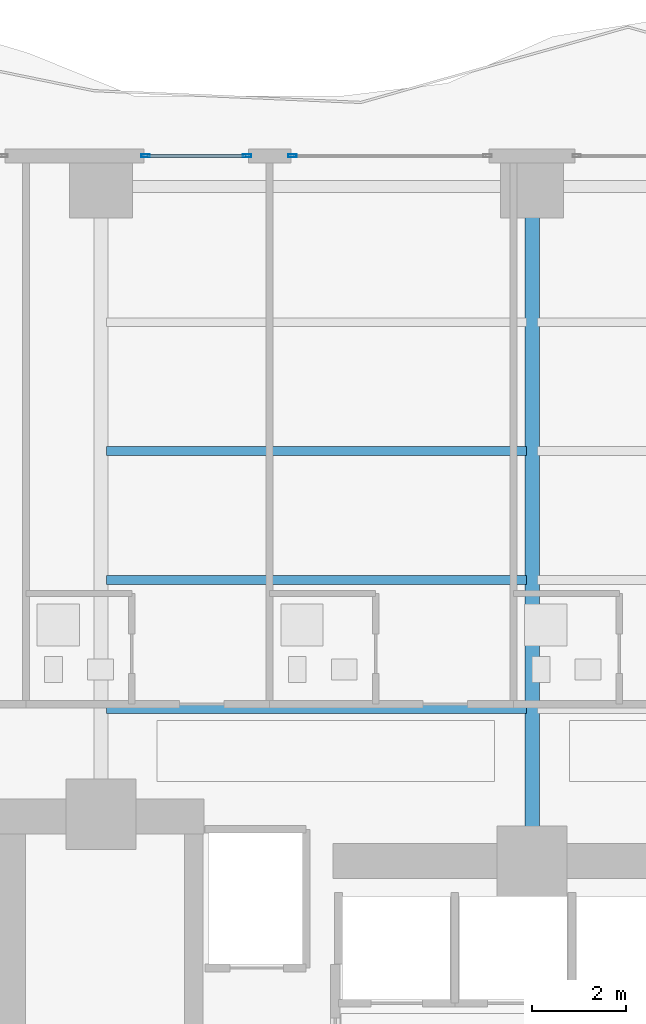
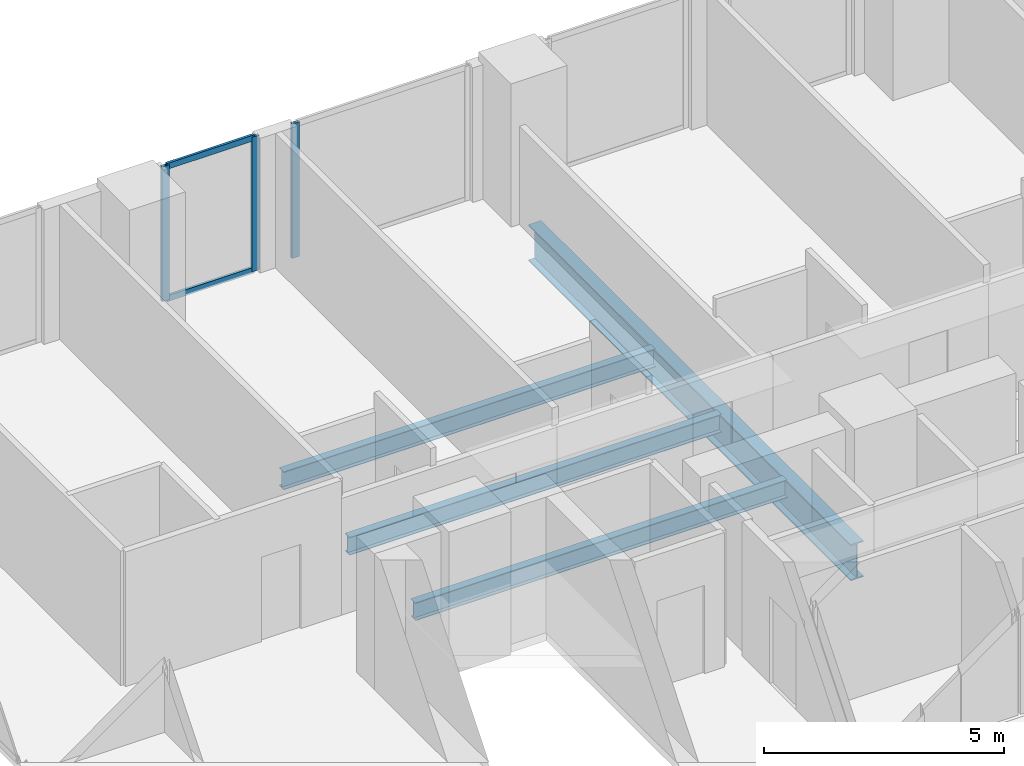
# One storey, part 15 of 28: 5 members, 4 beams, 2 elements without a shape of their own.
"""IFC4 building model written with IfcOpenShell, lengths in metres."""

from ifc_helpers import new_model, si_unit, direction, frame, origin, origin_2d, place, context, subcontext, project, spatial, hollow_rectangle, i_section, extrude, material, layer, layer_set, material_profile, profile_set, type_object, element, aggregate, save


model = new_model("IFC4")

# Units and contexts
model_context = context("Model", 3, precision=1e-05, world=origin(), true_north=direction((0.0, 1.0)))
body_context = subcontext(model_context, "Body", "Model", "MODEL_VIEW")
ifc_project = project(units=[si_unit("LENGTHUNIT", "METRE"), si_unit("AREAUNIT", "SQUARE_METRE"), si_unit("VOLUMEUNIT", "CUBIC_METRE"), si_unit("PLANEANGLEUNIT", "RADIAN"), si_unit("MASSUNIT", "GRAM", prefix="KILO")], contexts=[model_context])

# Site, building, storey
site_placement = place(None, origin())
site = spatial("IfcSite", under=ifc_project, at=site_placement, CompositionType="ELEMENT")
building_placement = place(site_placement, origin())
building = spatial("IfcBuilding", under=site, at=building_placement, Name="Zuhayl Quay Hotel", CompositionType="ELEMENT")
storey_placement = place(building_placement, frame((0.0, 0.0, 110.25)))
storey = spatial("IfcBuildingStorey", under=building, at=storey_placement, Name="L27", CompositionType="ELEMENT", Elevation=110.25)

# Beams
ifc_material_1 = material(Name="Steel ASTM A992 Grade 50", Category="steel")
ifc_material_profile_1 = material_profile(ifc_material_1, i_section(OverallWidth=0.18994140625, OverallDepth=0.45703125, WebThickness=0.009033203125, FlangeThickness=0.014404296875, at=origin_2d()), Name="W18X50")
ifc_profile_set_1 = profile_set([ifc_material_profile_1], Name="Steel ASTM A992 Grade 50")
beam_type_1 = type_object("IfcBeamType", Name="BM_J2_W18X50", PredefinedType="JOIST", material=ifc_profile_set_1)
for number, where, z_axis, x_axis, name in (
    (1, (-13.680908203125, 16.60009765625, -0.448486328125), (1.0, 0.0, 0.0), (0.0, 1.0, 0.0), "L27 Floor Beam FJ_L27_1_1"),
    (2, (-13.680908203125, 19.35009765625, -0.448486328125), (1.0, 0.0, 0.0), (0.0, 1.0, 0.0), "L27 Floor Beam FJ_L27_2_1"),
    (3, (-13.680908203125, 22.10009765625, -0.448486328125), (1.0, 0.0, 0.0), (0.0, 1.0, 0.0), "L27 Floor Beam FJ_L27_3_1"),
):
    element("IfcBeam", number, at=place(storey_placement, frame(where, z_axis=z_axis, x_axis=x_axis)), inside=storey, type_object=beam_type_1, Name=name, PredefinedType="JOIST", context=body_context, shape_type="SweptSolid", body=[
        extrude(i_section(OverallWidth=0.18994140625, OverallDepth=0.45703125, WebThickness=0.009033203125, FlangeThickness=0.014404296875, at=origin_2d()), origin(), (0.0, 0.0, 1.0), 8.9619140625),
    ])
ifc_material_profile_2 = material_profile(ifc_material_1, i_section(OverallWidth=0.306884765625, OverallDepth=0.927001953125, WebThickness=0.019287109375, FlangeThickness=0.031982421875, at=origin_2d()), Name="W36X194")
ifc_profile_set_2 = profile_set([ifc_material_profile_2], Name="Steel ASTM A992 Grade 50")
beam_type_2 = type_object("IfcBeamType", Name="BM_PG2_W36X194", PredefinedType="BEAM", material=ifc_profile_set_2)
beam_placement = place(storey_placement, frame((-4.60009765625, 13.800048828125, -0.68359375), z_axis=(0.0, 1.0, 0.0), x_axis=(-1.0, 0.0, 0.0)))
element("IfcBeam", 4, at=beam_placement, inside=storey, type_object=beam_type_2, Name="L27 Floor Beam FG_N_L27_2", PredefinedType="BEAM", context=body_context, shape_type="SweptSolid", body=[
    extrude(i_section(OverallWidth=0.306884765625, OverallDepth=0.927001953125, WebThickness=0.019287109375, FlangeThickness=0.031982421875, at=origin_2d()), origin(), (0.0, 0.0, 1.0), 13.449951171875),
])

# Curtain wall, members
ifc_material_2 = material(Name="Anodised Aluminium 6063-T6", Category="aluminium")
ifc_layer = layer(ifc_material_2, 0.179931640625, Name="Anodised Aluminium 6063-T6", Category="aluminium")
ifc_layer_set = layer_set([ifc_layer], Name="Anodised Aluminium 6063-T6")
curtain_wall_type = type_object("IfcCurtainWallType", Name="CW_SYS_Z2", PredefinedType="USERDEFINED", material=ifc_layer_set)
curtain_wall_1_placement = place(storey_placement, origin())
curtain_wall_1 = element("IfcCurtainWall", 5, at=curtain_wall_1_placement, inside=storey, type_object=curtain_wall_type, Name="L27 Curtain Wall ENV_L27_N_CW2", ObjectType="UNITISED CURTAIN WALL", PredefinedType="USERDEFINED")
ifc_material_3 = material(Name="Black-anodised aluminium 6063-T6", Category="aluminium")
ifc_material_profile_3 = material_profile(ifc_material_3, hollow_rectangle(XDim=0.06494140625, YDim=0.179931640625, WallThickness=0.00341796875, at=origin_2d()), Name="ALU180X65")
ifc_profile_set_3 = profile_set([ifc_material_profile_3], Name="Black-anodised aluminium 6063-T6")
member_type_1 = type_object("IfcMemberType", Name="MB_CW_MUL_180", PredefinedType="MULLION", material=ifc_profile_set_3)
member_1_placement = place(storey_placement, frame((-12.847412109375, 28.39990234375, 0.0), z_axis=(0.0, 0.0, 1.0), x_axis=(0.0, 1.0, 0.0)))
member_1 = element("IfcMember", 6, at=member_1_placement, type_object=member_type_1, Name="CW-Z2 mullion 1", PredefinedType="MULLION", context=body_context, shape_type="SweptSolid", body=[
    extrude(hollow_rectangle(XDim=0.06494140625, YDim=0.179931640625, WallThickness=0.00341796875, at=origin_2d()), origin(), (0.0, 0.0, 1.0), 3.429931640625),
])
member_2_placement = place(storey_placement, frame((-10.6826171875, 28.39990234375, 0.0), z_axis=(0.0, 0.0, 1.0), x_axis=(0.0, 1.0, 0.0)))
member_2 = element("IfcMember", 7, at=member_2_placement, type_object=member_type_1, Name="CW-Z2 mullion 2", PredefinedType="MULLION", context=body_context, shape_type="SweptSolid", body=[
    extrude(hollow_rectangle(XDim=0.06494140625, YDim=0.179931640625, WallThickness=0.00341796875, at=origin_2d()), origin(), (0.0, 0.0, 1.0), 3.429931640625),
])

# Curtain wall, member
curtain_wall_2_placement = place(storey_placement, origin())
curtain_wall_2 = element("IfcCurtainWall", 8, at=curtain_wall_2_placement, inside=storey, type_object=curtain_wall_type, Name="L27 Curtain Wall ENV_L27_N_CW3", ObjectType="UNITISED CURTAIN WALL", PredefinedType="USERDEFINED")
member_3_placement = place(storey_placement, frame((-9.717529296875, 28.39990234375, 0.0), z_axis=(0.0, 0.0, 1.0), x_axis=(0.0, 1.0, 0.0)))
member_3 = element("IfcMember", 9, at=member_3_placement, type_object=member_type_1, Name="CW-Z2 mullion 1", PredefinedType="MULLION", context=body_context, shape_type="SweptSolid", body=[
    extrude(hollow_rectangle(XDim=0.06494140625, YDim=0.179931640625, WallThickness=0.00341796875, at=origin_2d()), origin(), (0.0, 0.0, 1.0), 3.429931640625),
])
aggregate(curtain_wall_2, [member_3])

# Member
ifc_material_profile_4 = material_profile(ifc_material_3, hollow_rectangle(XDim=0.06005859375, YDim=0.14990234375, WallThickness=0.00341796875, at=origin_2d()), Name="ALU150X60")
ifc_profile_set_4 = profile_set([ifc_material_profile_4], Name="Black-anodised aluminium 6063-T6")
member_type_2 = type_object("IfcMemberType", Name="MB_CW_TRN_150", PredefinedType="USERDEFINED", material=ifc_profile_set_4)
member_4_placement = place(storey_placement, frame((-12.81494140625, 28.39990234375, 0.030029296875), z_axis=(1.0, 0.0, 0.0), x_axis=(0.0, 1.0, 0.0)))
member_4 = element("IfcMember", 10, at=member_4_placement, type_object=member_type_2, Name="CW-Z2 transom 1.1", ObjectType="TRANSOM", PredefinedType="USERDEFINED", context=body_context, shape_type="SweptSolid", body=[
    extrude(hollow_rectangle(XDim=0.06005859375, YDim=0.14990234375, WallThickness=0.00341796875, at=origin_2d()), origin(), (0.0, 0.0, 1.0), 2.099853515625),
])

member_5_placement = place(storey_placement, frame((-12.81494140625, 28.39990234375, 3.39990234375), z_axis=(1.0, 0.0, 0.0), x_axis=(0.0, 1.0, 0.0)))
member_5 = element("IfcMember", 11, at=member_5_placement, type_object=member_type_2, Name="CW-Z2 transom 1.2", ObjectType="TRANSOM", PredefinedType="USERDEFINED", context=body_context, shape_type="SweptSolid", body=[
    extrude(hollow_rectangle(XDim=0.06005859375, YDim=0.14990234375, WallThickness=0.00341796875, at=origin_2d()), origin(), (0.0, 0.0, 1.0), 2.099853515625),
])

aggregate(curtain_wall_1, [member_1, member_2, member_4, member_5])

save(model, "model.ifc")
